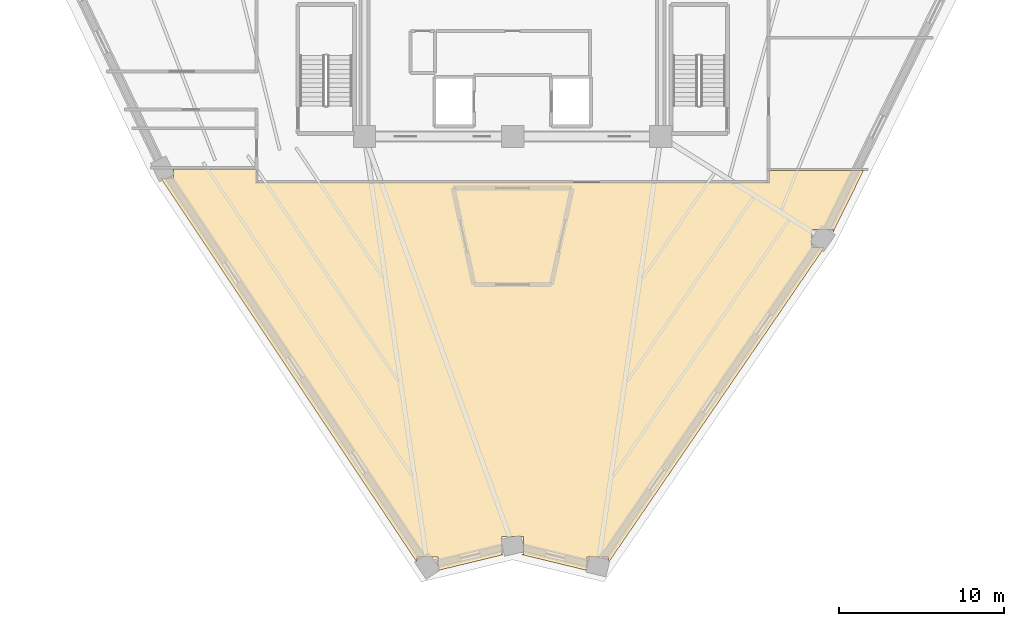
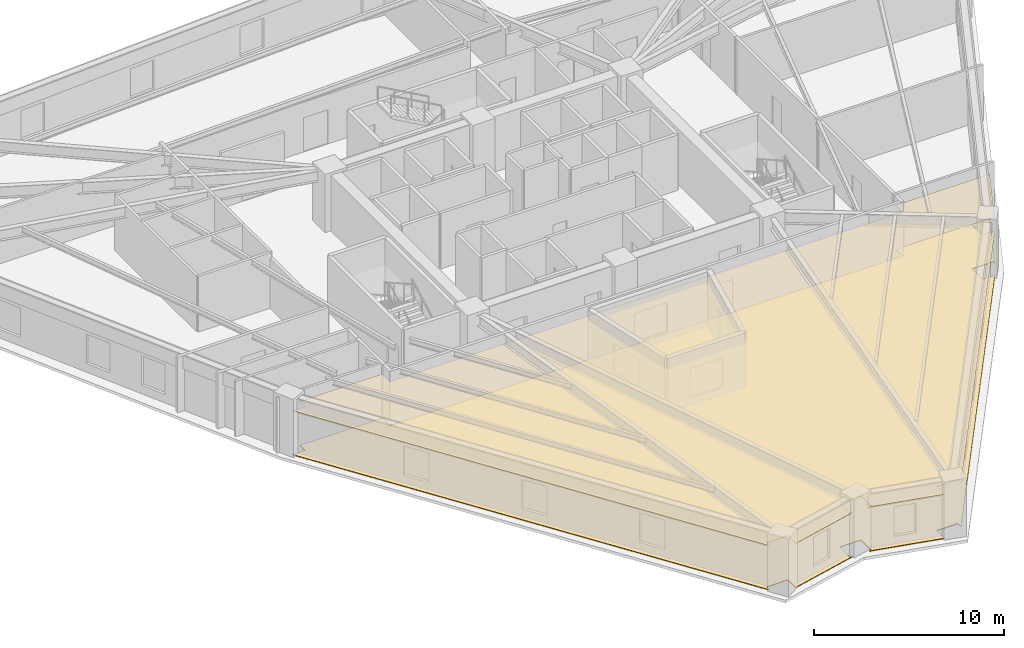
# One storey, part 8 of 9: 2 coverings.
"""IFC4 building model written with IfcOpenShell, lengths in metres."""

import ifcopenshell
import ifcopenshell.guid

model = None  # the IFC model being written
_history = None  # IfcOwnerHistory: only IFC2X3 demands one
_inside = {}  # id of a spatial element -> (the spatial element, [elements in it])
_under = {}  # id of a project, library or spatial element -> (it, [spatial elements below it])
_declared = {}  # id of a project -> (the project, [libraries it declares])
_typed = {}  # id of a type object -> (the type object, [elements of that type])
_made_of = {}  # id of a material, layer set ... -> (it, [elements and type objects made of it])


def new_model(schema):
    """Start an empty IFC model of exactly this schema.

    Asked for "IFC4X3", IfcOpenShell would pick the latest addendum, in which some entities
    have other attributes; the version numbers below select the first issue.
    IFC2X3 requires an IfcOwnerHistory on every rooted entity: one is made here for all.
    """
    global model, _history
    if schema == "IFC4X3":
        model = ifcopenshell.file(schema_version=(4, 3, 0, 0))
    else:
        model = ifcopenshell.file(schema=schema)
    _inside.clear()
    _under.clear()
    _declared.clear()
    _typed.clear()
    _made_of.clear()
    _history = None
    if model.schema == "IFC2X3":
        org = make("IfcOrganization", Name="unknown")
        user = make(
            "IfcPersonAndOrganization",
            ThePerson=make("IfcPerson", FamilyName="unknown"),
            TheOrganization=org,
        )
        app = make(
            "IfcApplication",
            ApplicationDeveloper=org,
            Version="unknown",
            ApplicationFullName="unknown",
            ApplicationIdentifier="unknown",
        )
        _history = make(
            "IfcOwnerHistory",
            OwningUser=user,
            OwningApplication=app,
            ChangeAction="ADDED",
            CreationDate=0,
        )
    return model


def make(cls, **values):
    """One entity of the class cls with the attributes given. An attribute that is None is left unset."""
    return model.create_entity(
        cls, **{name: value for name, value in values.items() if value is not None}
    )


def rooted(cls, **values):
    """An entity with a GlobalId (a new one), such as an element, a storey or a relation."""
    return make(cls, GlobalId=ifcopenshell.guid.new(), OwnerHistory=_history, **values)


def si_unit(unit_type, name, prefix=None):
    """IfcSIUnit, for example si_unit("LENGTHUNIT", "METRE", prefix="MILLI")."""
    return make("IfcSIUnit", UnitType=unit_type, Prefix=prefix, Name=name)


def assignment(units):
    """IfcUnitAssignment: the units of a project."""
    return None if units is None else make("IfcUnitAssignment", Units=units)


def point(xyz):
    """IfcCartesianPoint."""
    return None if xyz is None else make("IfcCartesianPoint", Coordinates=xyz)


def direction(xyz):
    """IfcDirection."""
    return None if xyz is None else make("IfcDirection", DirectionRatios=xyz)


def frame(location, z_axis=None, x_axis=None):
    """IfcAxis2Placement3D, a coordinate frame: its origin and axes. An axis left out is left unset."""
    return make(
        "IfcAxis2Placement3D",
        Location=point(location),
        Axis=direction(z_axis),
        RefDirection=direction(x_axis),
    )


def origin():
    """The frame at (0, 0, 0) with its axes left unset."""
    return frame((0.0, 0.0, 0.0))


def place(relative_to, where):
    """IfcLocalPlacement: puts the frame where relative to a parent placement (None: the world)."""
    return make(
        "IfcLocalPlacement", PlacementRelTo=relative_to, RelativePlacement=where
    )


def context(
    kind, dimensions, precision=None, world=None, true_north=None, identifier=None
):
    """IfcGeometricRepresentationContext, for example the 3D "Model" context."""
    return make(
        "IfcGeometricRepresentationContext",
        ContextIdentifier=identifier,
        ContextType=kind,
        CoordinateSpaceDimension=dimensions,
        Precision=precision,
        WorldCoordinateSystem=world,
        TrueNorth=true_north,
    )


def subcontext(parent, identifier, kind, view, scale=None):
    """IfcGeometricRepresentationSubContext, for example "Body" below "Model"."""
    return make(
        "IfcGeometricRepresentationSubContext",
        ContextIdentifier=identifier,
        ContextType=kind,
        ParentContext=parent,
        TargetScale=scale,
        TargetView=view,
    )


def project(units=None, contexts=None):
    """IfcProject with its units and contexts."""
    return rooted(
        "IfcProject",
        Name="project",
        RepresentationContexts=contexts,
        UnitsInContext=assignment(units),
    )


def spatial(cls, under=None, at=None, **own):
    """A site, building, storey or space (cls), placed at a placement, below another one or the project."""
    s = rooted(cls, ObjectPlacement=at, **own)
    if under is not None:
        _under.setdefault(under.id(), (under, []))[1].append(s)
    return s


def polyline(points):
    """IfcPolyline through the points."""
    return make("IfcPolyline", Points=[point(p) for p in points])


def outline(outer, holes=None, kind="AREA"):
    """IfcArbitraryClosedProfileDef: a profile drawn as a closed curve; with holes, ...WithVoids."""
    if holes is None:
        return make("IfcArbitraryClosedProfileDef", ProfileType=kind, OuterCurve=outer)
    return make(
        "IfcArbitraryProfileDefWithVoids",
        ProfileType=kind,
        OuterCurve=outer,
        InnerCurves=holes,
    )


def extrude(swept, where, along, depth):
    """IfcExtrudedAreaSolid: the profile swept, set in the frame where, extruded along a direction by depth."""
    return make(
        "IfcExtrudedAreaSolid",
        SweptArea=swept,
        Position=where,
        ExtrudedDirection=direction(along),
        Depth=depth,
    )


def shape(context_of_items, identifier, shape_type, items):
    """IfcShapeRepresentation: the items that make up one representation, for example the "Body"."""
    return make(
        "IfcShapeRepresentation",
        ContextOfItems=context_of_items,
        RepresentationIdentifier=identifier,
        RepresentationType=shape_type,
        Items=items,
    )


def material(Name=None, Category=None):
    """IfcMaterial."""
    return make("IfcMaterial", Name=Name, Category=Category)


def layer(
    of_material, thickness, ventilated=None, Name=None, Category=None, Priority=None
):
    """IfcMaterialLayer: one layer of a wall or slab, of a material (None: an air gap)."""
    return make(
        "IfcMaterialLayer",
        Material=of_material,
        LayerThickness=thickness,
        IsVentilated=ventilated,
        Name=Name,
        Category=Category,
        Priority=Priority,
    )


def layer_set(layers, Name=None):
    """IfcMaterialLayerSet."""
    return make("IfcMaterialLayerSet", MaterialLayers=layers, LayerSetName=Name)


def made_of(thing, what):
    """Note that an element or type object is made of a material, layer set ...; save() writes the relation."""
    if what is not None:
        _made_of.setdefault(what.id(), (what, []))[1].append(thing)
    return thing


def type_object(cls, material=None, **own):
    """A type object (cls), such as IfcWallType, which elements share."""
    return made_of(rooted(cls, **own), material)


def element(
    cls,
    number,
    at=None,
    inside=None,
    cuts=None,
    type_object=None,
    material=None,
    context=None,
    identifier="Body",
    shape_type=None,
    held_by="IfcProductDefinitionShape",
    body=None,
    shapes=None,
    **own,
):
    """One element of the class cls, such as IfcWall. Its Tag is "e" and its number.

    at: its placement. inside: the storey or other place that contains it. cuts: it is an
    opening in that element (IfcRelVoidsElement). A single representation is given by context,
    identifier, shape_type and body (its items); several are given by shapes. held_by: the class
    of the entity that holds the representations. save() writes the other relations.
    """
    e = rooted(cls, Tag="e%d" % number, ObjectPlacement=at, **own)
    if body is not None:
        shapes = [shape(context, identifier, shape_type, body)]
    if shapes is not None:
        e.Representation = make(held_by, Representations=shapes)
    if inside is not None:
        _inside.setdefault(inside.id(), (inside, []))[1].append(e)
    if cuts is not None:
        rooted(
            "IfcRelVoidsElement", RelatingBuildingElement=cuts, RelatedOpeningElement=e
        )
    if type_object is not None:
        _typed.setdefault(type_object.id(), (type_object, []))[1].append(e)
    return made_of(e, material)


def aggregate(whole, parts):
    """IfcRelAggregates: a whole, such as a stair, and the parts it consists of."""
    return rooted("IfcRelAggregates", RelatingObject=whole, RelatedObjects=parts)


def save(model, path):
    """Write the relations noted so far, then the file.

    IfcRelAggregates (storeys below a building ...), IfcRelContainedInSpatialStructure (elements
    in a storey), IfcRelDefinesByType, IfcRelAssociatesMaterial and IfcRelDeclares: one each for
    every whole, place, type object, material and project.
    """
    for whole, parts in _under.values():
        aggregate(whole, parts)
    for where, things in _inside.values():
        rooted(
            "IfcRelContainedInSpatialStructure",
            RelatedElements=things,
            RelatingStructure=where,
        )
    for kind, things in _typed.values():
        rooted("IfcRelDefinesByType", RelatedObjects=things, RelatingType=kind)
    for what, things in _made_of.values():
        rooted("IfcRelAssociatesMaterial", RelatedObjects=things, RelatingMaterial=what)
    for by, libraries in _declared.values():
        rooted("IfcRelDeclares", RelatingContext=by, RelatedDefinitions=libraries)
    model.write(path)


model = new_model("IFC4")

# Units and contexts
model_context = context("Model", 3, precision=1e-05, world=origin(), true_north=direction((0.0, 1.0)))
body_context = subcontext(model_context, "Body", "Model", "MODEL_VIEW")
ifc_project = project(units=[si_unit("LENGTHUNIT", "METRE"), si_unit("AREAUNIT", "SQUARE_METRE"), si_unit("VOLUMEUNIT", "CUBIC_METRE"), si_unit("PLANEANGLEUNIT", "RADIAN"), si_unit("MASSUNIT", "GRAM", prefix="KILO")], contexts=[model_context])

# Site, building, storey
site_placement = place(None, origin())
site = spatial("IfcSite", under=ifc_project, at=site_placement, CompositionType="ELEMENT")
building_placement = place(site_placement, origin())
building = spatial("IfcBuilding", under=site, at=building_placement, Name="Liaohun Quay Tower", CompositionType="ELEMENT")
storey_placement = place(building_placement, frame((0.0, 0.0, 258.75)))
storey = spatial("IfcBuildingStorey", under=building, at=storey_placement, Name="L67", CompositionType="ELEMENT", Elevation=258.75)

# Coverings
ifc_material_1 = material(Name="Mineral-fibre acoustic ceiling tile")
ifc_layer_1 = layer(ifc_material_1, 0.02490234375, Name="Mineral-fibre acoustic ceiling tile")
ifc_layer_set_1 = layer_set([ifc_layer_1], Name="Mineral-fibre acoustic ceiling tile")
covering_type_1 = type_object("IfcCoveringType", Name="COV-CEIL-ACT", PredefinedType="CEILING", material=ifc_layer_set_1)
covering_1_placement = place(storey_placement, frame((0.0, 0.0, 2.85009765625)))
element("IfcCovering", 1, at=covering_1_placement, inside=storey, type_object=covering_type_1, Name="L67 Client Collaboration Lounge 08 Acoustic Ceiling", PredefinedType="CEILING", context=body_context, shape_type="SweptSolid", body=[
    extrude(outline(polyline([(39.37890625, 44.52490234375), (39.37890625, 43.992919921875), (38.60498046875, 43.992919921875), (54.18603515625, 20.6279296875), (54.18603515625, 20.946044921875), (55.47607421875, 20.946044921875), (55.47607421875, 20.135009765625), (59.488037109375, 21.10400390625), (59.35498046875, 21.10400390625), (59.35498046875, 22.194091796875), (60.64501953125, 22.194091796875), (60.64501953125, 21.10400390625), (60.511962890625, 21.10400390625), (64.531982421875, 20.133056640625), (64.531982421875, 20.944091796875), (65.822021484375, 20.944091796875), (65.822021484375, 20.614013671875), (78.950927734375, 39.76904296875), (78.18310546875, 39.76904296875), (78.18310546875, 40.85888671875), (79.472900390625, 40.85888671875), (79.472900390625, 40.694091796875), (81.31689453125, 44.425048828125), (75.580078125, 44.425048828125), (75.580078125, 43.719970703125), (44.419921875, 43.719970703125), (44.419921875, 44.52490234375), (39.37890625, 44.52490234375)])), origin(), (0.0, 0.0, 1.0), 0.02490234375),
])
ifc_material_2 = material(Name="Calcium-sulphate raised access floor tile")
ifc_layer_2 = layer(ifc_material_2, 0.044921875, Name="Calcium-sulphate raised access floor tile")
ifc_layer_set_2 = layer_set([ifc_layer_2], Name="Calcium-sulphate raised access floor tile")
covering_type_2 = type_object("IfcCoveringType", Name="COV-FLR-RAF", PredefinedType="FLOORING", material=ifc_layer_set_2)
covering_2_placement = place(storey_placement, origin())
element("IfcCovering", 2, at=covering_2_placement, inside=storey, type_object=covering_type_2, Name="L67 Client Collaboration Lounge 08 Floor Finish", PredefinedType="FLOORING", context=body_context, shape_type="SweptSolid", body=[
    extrude(outline(polyline([(39.37890625, 44.52490234375), (39.37890625, 43.992919921875), (38.60498046875, 43.992919921875), (54.18603515625, 20.6279296875), (54.18603515625, 20.946044921875), (55.47607421875, 20.946044921875), (55.47607421875, 20.135009765625), (59.488037109375, 21.10400390625), (59.35498046875, 21.10400390625), (59.35498046875, 22.194091796875), (60.64501953125, 22.194091796875), (60.64501953125, 21.10400390625), (60.511962890625, 21.10400390625), (64.531982421875, 20.133056640625), (64.531982421875, 20.944091796875), (65.822021484375, 20.944091796875), (65.822021484375, 20.614013671875), (78.950927734375, 39.76904296875), (78.18310546875, 39.76904296875), (78.18310546875, 40.85888671875), (79.472900390625, 40.85888671875), (79.472900390625, 40.694091796875), (81.31689453125, 44.425048828125), (75.580078125, 44.425048828125), (75.580078125, 43.719970703125), (44.419921875, 43.719970703125), (44.419921875, 44.52490234375), (39.37890625, 44.52490234375)])), origin(), (0.0, 0.0, 1.0), 0.044921875),
])

save(model, "model.ifc")
